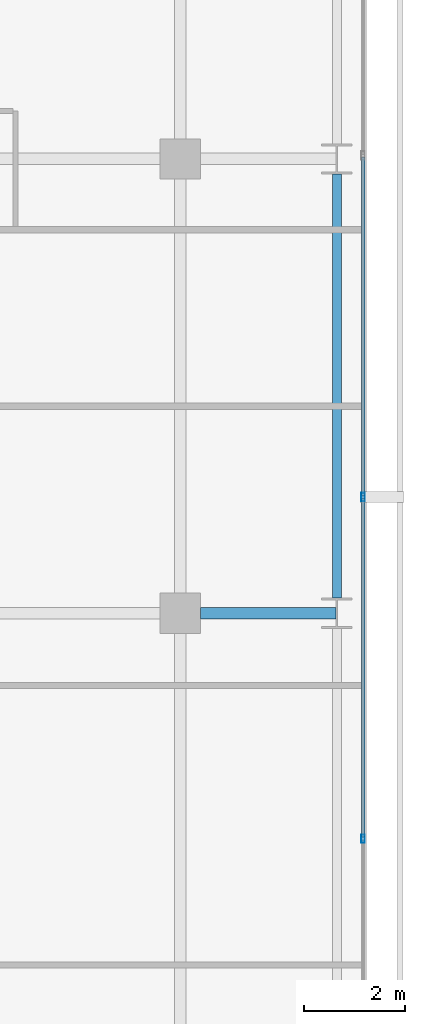
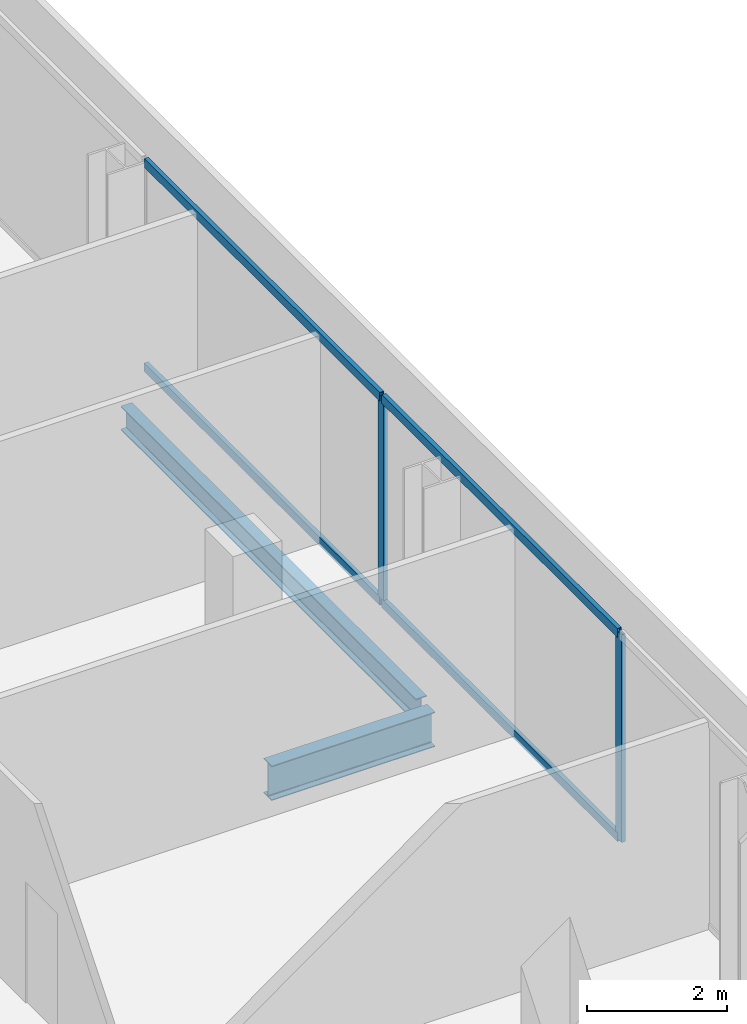
# One storey, part 17 of 33: 6 members, 2 beams, 1 element without a shape of its own.
"""IFC4 building model written with IfcOpenShell, lengths in metres."""

import ifcopenshell
import ifcopenshell.guid

model = None  # the IFC model being written
_history = None  # IfcOwnerHistory: only IFC2X3 demands one
_inside = {}  # id of a spatial element -> (the spatial element, [elements in it])
_under = {}  # id of a project, library or spatial element -> (it, [spatial elements below it])
_declared = {}  # id of a project -> (the project, [libraries it declares])
_typed = {}  # id of a type object -> (the type object, [elements of that type])
_made_of = {}  # id of a material, layer set ... -> (it, [elements and type objects made of it])


def new_model(schema):
    """Start an empty IFC model of exactly this schema.

    Asked for "IFC4X3", IfcOpenShell would pick the latest addendum, in which some entities
    have other attributes; the version numbers below select the first issue.
    IFC2X3 requires an IfcOwnerHistory on every rooted entity: one is made here for all.
    """
    global model, _history
    if schema == "IFC4X3":
        model = ifcopenshell.file(schema_version=(4, 3, 0, 0))
    else:
        model = ifcopenshell.file(schema=schema)
    _inside.clear()
    _under.clear()
    _declared.clear()
    _typed.clear()
    _made_of.clear()
    _history = None
    if model.schema == "IFC2X3":
        org = make("IfcOrganization", Name="unknown")
        user = make(
            "IfcPersonAndOrganization",
            ThePerson=make("IfcPerson", FamilyName="unknown"),
            TheOrganization=org,
        )
        app = make(
            "IfcApplication",
            ApplicationDeveloper=org,
            Version="unknown",
            ApplicationFullName="unknown",
            ApplicationIdentifier="unknown",
        )
        _history = make(
            "IfcOwnerHistory",
            OwningUser=user,
            OwningApplication=app,
            ChangeAction="ADDED",
            CreationDate=0,
        )
    return model


def make(cls, **values):
    """One entity of the class cls with the attributes given. An attribute that is None is left unset."""
    return model.create_entity(
        cls, **{name: value for name, value in values.items() if value is not None}
    )


def rooted(cls, **values):
    """An entity with a GlobalId (a new one), such as an element, a storey or a relation."""
    return make(cls, GlobalId=ifcopenshell.guid.new(), OwnerHistory=_history, **values)


def si_unit(unit_type, name, prefix=None):
    """IfcSIUnit, for example si_unit("LENGTHUNIT", "METRE", prefix="MILLI")."""
    return make("IfcSIUnit", UnitType=unit_type, Prefix=prefix, Name=name)


def assignment(units):
    """IfcUnitAssignment: the units of a project."""
    return None if units is None else make("IfcUnitAssignment", Units=units)


def point(xyz):
    """IfcCartesianPoint."""
    return None if xyz is None else make("IfcCartesianPoint", Coordinates=xyz)


def direction(xyz):
    """IfcDirection."""
    return None if xyz is None else make("IfcDirection", DirectionRatios=xyz)


def frame(location, z_axis=None, x_axis=None):
    """IfcAxis2Placement3D, a coordinate frame: its origin and axes. An axis left out is left unset."""
    return make(
        "IfcAxis2Placement3D",
        Location=point(location),
        Axis=direction(z_axis),
        RefDirection=direction(x_axis),
    )


def frame_2d(location, x_axis=None):
    """IfcAxis2Placement2D, a coordinate frame in the plane: its origin and x axis."""
    return make(
        "IfcAxis2Placement2D", Location=point(location), RefDirection=direction(x_axis)
    )


def origin():
    """The frame at (0, 0, 0) with its axes left unset."""
    return frame((0.0, 0.0, 0.0))


def origin_2d():
    """The frame at (0, 0) in the plane with its x axis left unset."""
    return frame_2d((0.0, 0.0))


def place(relative_to, where):
    """IfcLocalPlacement: puts the frame where relative to a parent placement (None: the world)."""
    return make(
        "IfcLocalPlacement", PlacementRelTo=relative_to, RelativePlacement=where
    )


def context(
    kind, dimensions, precision=None, world=None, true_north=None, identifier=None
):
    """IfcGeometricRepresentationContext, for example the 3D "Model" context."""
    return make(
        "IfcGeometricRepresentationContext",
        ContextIdentifier=identifier,
        ContextType=kind,
        CoordinateSpaceDimension=dimensions,
        Precision=precision,
        WorldCoordinateSystem=world,
        TrueNorth=true_north,
    )


def subcontext(parent, identifier, kind, view, scale=None):
    """IfcGeometricRepresentationSubContext, for example "Body" below "Model"."""
    return make(
        "IfcGeometricRepresentationSubContext",
        ContextIdentifier=identifier,
        ContextType=kind,
        ParentContext=parent,
        TargetScale=scale,
        TargetView=view,
    )


def project(units=None, contexts=None):
    """IfcProject with its units and contexts."""
    return rooted(
        "IfcProject",
        Name="project",
        RepresentationContexts=contexts,
        UnitsInContext=assignment(units),
    )


def spatial(cls, under=None, at=None, **own):
    """A site, building, storey or space (cls), placed at a placement, below another one or the project."""
    s = rooted(cls, ObjectPlacement=at, **own)
    if under is not None:
        _under.setdefault(under.id(), (under, []))[1].append(s)
    return s


def profile(cls, at=None, kind="AREA", **sizes):
    """A parametric profile (cls). Its sizes go by their IFC names, for example OverallWidth=200.0."""
    return make(cls, ProfileType=kind, Position=at, **sizes)


def hollow_rectangle(**sizes):
    """IfcRectangleHollowProfileDef."""
    return profile("IfcRectangleHollowProfileDef", **sizes)


def i_section(**sizes):
    """IfcIShapeProfileDef."""
    return profile("IfcIShapeProfileDef", **sizes)


def extrude(swept, where, along, depth):
    """IfcExtrudedAreaSolid: the profile swept, set in the frame where, extruded along a direction by depth."""
    return make(
        "IfcExtrudedAreaSolid",
        SweptArea=swept,
        Position=where,
        ExtrudedDirection=direction(along),
        Depth=depth,
    )


def shape(context_of_items, identifier, shape_type, items):
    """IfcShapeRepresentation: the items that make up one representation, for example the "Body"."""
    return make(
        "IfcShapeRepresentation",
        ContextOfItems=context_of_items,
        RepresentationIdentifier=identifier,
        RepresentationType=shape_type,
        Items=items,
    )


def material(Name=None, Category=None):
    """IfcMaterial."""
    return make("IfcMaterial", Name=Name, Category=Category)


def layer(
    of_material, thickness, ventilated=None, Name=None, Category=None, Priority=None
):
    """IfcMaterialLayer: one layer of a wall or slab, of a material (None: an air gap)."""
    return make(
        "IfcMaterialLayer",
        Material=of_material,
        LayerThickness=thickness,
        IsVentilated=ventilated,
        Name=Name,
        Category=Category,
        Priority=Priority,
    )


def layer_set(layers, Name=None):
    """IfcMaterialLayerSet."""
    return make("IfcMaterialLayerSet", MaterialLayers=layers, LayerSetName=Name)


def material_profile(
    of_material, cross_section, Name=None, Category=None, Priority=None
):
    """IfcMaterialProfile: a cross section and its material."""
    return make(
        "IfcMaterialProfile",
        Name=Name,
        Material=of_material,
        Profile=cross_section,
        Priority=Priority,
        Category=Category,
    )


def profile_set(profiles, Name=None, composite=None):
    """IfcMaterialProfileSet."""
    return make(
        "IfcMaterialProfileSet",
        Name=Name,
        MaterialProfiles=profiles,
        CompositeProfile=composite,
    )


def made_of(thing, what):
    """Note that an element or type object is made of a material, layer set ...; save() writes the relation."""
    if what is not None:
        _made_of.setdefault(what.id(), (what, []))[1].append(thing)
    return thing


def type_object(cls, material=None, **own):
    """A type object (cls), such as IfcWallType, which elements share."""
    return made_of(rooted(cls, **own), material)


def element(
    cls,
    number,
    at=None,
    inside=None,
    cuts=None,
    type_object=None,
    material=None,
    context=None,
    identifier="Body",
    shape_type=None,
    held_by="IfcProductDefinitionShape",
    body=None,
    shapes=None,
    **own,
):
    """One element of the class cls, such as IfcWall. Its Tag is "e" and its number.

    at: its placement. inside: the storey or other place that contains it. cuts: it is an
    opening in that element (IfcRelVoidsElement). A single representation is given by context,
    identifier, shape_type and body (its items); several are given by shapes. held_by: the class
    of the entity that holds the representations. save() writes the other relations.
    """
    e = rooted(cls, Tag="e%d" % number, ObjectPlacement=at, **own)
    if body is not None:
        shapes = [shape(context, identifier, shape_type, body)]
    if shapes is not None:
        e.Representation = make(held_by, Representations=shapes)
    if inside is not None:
        _inside.setdefault(inside.id(), (inside, []))[1].append(e)
    if cuts is not None:
        rooted(
            "IfcRelVoidsElement", RelatingBuildingElement=cuts, RelatedOpeningElement=e
        )
    if type_object is not None:
        _typed.setdefault(type_object.id(), (type_object, []))[1].append(e)
    return made_of(e, material)


def aggregate(whole, parts):
    """IfcRelAggregates: a whole, such as a stair, and the parts it consists of."""
    return rooted("IfcRelAggregates", RelatingObject=whole, RelatedObjects=parts)


def save(model, path):
    """Write the relations noted so far, then the file.

    IfcRelAggregates (storeys below a building ...), IfcRelContainedInSpatialStructure (elements
    in a storey), IfcRelDefinesByType, IfcRelAssociatesMaterial and IfcRelDeclares: one each for
    every whole, place, type object, material and project.
    """
    for whole, parts in _under.values():
        aggregate(whole, parts)
    for where, things in _inside.values():
        rooted(
            "IfcRelContainedInSpatialStructure",
            RelatedElements=things,
            RelatingStructure=where,
        )
    for kind, things in _typed.values():
        rooted("IfcRelDefinesByType", RelatedObjects=things, RelatingType=kind)
    for what, things in _made_of.values():
        rooted("IfcRelAssociatesMaterial", RelatedObjects=things, RelatingMaterial=what)
    for by, libraries in _declared.values():
        rooted("IfcRelDeclares", RelatingContext=by, RelatedDefinitions=libraries)
    model.write(path)


model = new_model("IFC4")

# Units and contexts
model_context = context("Model", 3, precision=1e-05, world=origin(), true_north=direction((0.0, 1.0)))
body_context = subcontext(model_context, "Body", "Model", "MODEL_VIEW")
ifc_project = project(units=[si_unit("LENGTHUNIT", "METRE"), si_unit("AREAUNIT", "SQUARE_METRE"), si_unit("VOLUMEUNIT", "CUBIC_METRE"), si_unit("PLANEANGLEUNIT", "RADIAN"), si_unit("MASSUNIT", "GRAM", prefix="KILO")], contexts=[model_context])

# Site, building, storey
site_placement = place(None, origin())
site = spatial("IfcSite", under=ifc_project, at=site_placement, CompositionType="ELEMENT")
building_placement = place(site_placement, origin())
building = spatial("IfcBuilding", under=site, at=building_placement, Name="Maruvema Waterfront Hotel and Observation Tower", CompositionType="ELEMENT")
storey_placement = place(building_placement, frame((0.0, 0.0, 158.199951171875)))
storey = spatial("IfcBuildingStorey", under=building, at=storey_placement, Name="L38", CompositionType="ELEMENT", Elevation=158.199951171875)

# Curtain wall, members
ifc_material_1 = material(Name="Anodised bronze aluminium and solar-control low-E IGU", Category="aluminium")
ifc_layer = layer(ifc_material_1, 0.159912109375, Name="Zone 2 Amber Inner Thermal Curtain Wall System CW-03")
ifc_layer_set = layer_set([ifc_layer], Name="Anodised bronze aluminium and solar-control low-E IGU")
curtain_wall_type = type_object("IfcCurtainWallType", Name="Zone 2 Amber Inner Thermal Curtain Wall System CW-03", PredefinedType="USERDEFINED", material=ifc_layer_set)
curtain_wall_placement = place(storey_placement, origin())
curtain_wall = element("IfcCurtainWall", 1, at=curtain_wall_placement, inside=storey, type_object=curtain_wall_type, Name="L38 Curtain Wall CW-L38-E", ObjectType="UNITISED CURTAIN WALL", PredefinedType="USERDEFINED")
ifc_material_2 = material(Name="Anodised architectural bronze aluminium", Category="aluminium")
ifc_material_profile_1 = material_profile(ifc_material_2, hollow_rectangle(XDim=0.070068359375, YDim=0.14990234375, WallThickness=0.00390625, at=origin_2d()), Name="ALU-T70x150")
ifc_profile_set_1 = profile_set([ifc_material_profile_1], Name="Anodised architectural bronze aluminium")
member_type_1 = type_object("IfcMemberType", Name="Curtain Wall Horizontal Transom ALU-T70x150", PredefinedType="USERDEFINED", material=ifc_profile_set_1)
member_1_placement = place(storey_placement, frame((62.419921875, 22.563232421875, 0.030029296875), z_axis=(0.0, 1.0, 0.0), x_axis=(-1.0, 0.0, 0.0)))
member_1 = element("IfcMember", 2, at=member_1_placement, type_object=member_type_1, Name="CW-03 transom 3.1", ObjectType="TRANSOM", PredefinedType="USERDEFINED", context=body_context, shape_type="SweptSolid", body=[
    extrude(hollow_rectangle(XDim=0.070068359375, YDim=0.14990234375, WallThickness=0.00390625, at=origin_2d()), origin(), (0.0, 0.0, 1.0), 6.706787109375),
])
member_2_placement = place(storey_placement, frame((62.419921875, 22.563232421875, 3.580078125), z_axis=(0.0, 1.0, 0.0), x_axis=(-1.0, 0.0, 0.0)))
member_2 = element("IfcMember", 3, at=member_2_placement, type_object=member_type_1, Name="CW-03 transom 3.2", ObjectType="TRANSOM", PredefinedType="USERDEFINED", context=body_context, shape_type="SweptSolid", body=[
    extrude(hollow_rectangle(XDim=0.070068359375, YDim=0.14990234375, WallThickness=0.00390625, at=origin_2d()), origin(), (0.0, 0.0, 1.0), 6.706787109375),
])
member_3_placement = place(storey_placement, frame((62.419921875, 29.330078125, 0.030029296875), z_axis=(0.0, 1.0, 0.0), x_axis=(-1.0, 0.0, 0.0)))
member_3 = element("IfcMember", 4, at=member_3_placement, type_object=member_type_1, Name="CW-03 transom 4.1", ObjectType="TRANSOM", PredefinedType="USERDEFINED", context=body_context, shape_type="SweptSolid", body=[
    extrude(hollow_rectangle(XDim=0.070068359375, YDim=0.14990234375, WallThickness=0.00390625, at=origin_2d()), origin(), (0.0, 0.0, 1.0), 6.70654296875),
])
member_4_placement = place(storey_placement, frame((62.419921875, 29.330078125, 3.580078125), z_axis=(0.0, 1.0, 0.0), x_axis=(-1.0, 0.0, 0.0)))
member_4 = element("IfcMember", 5, at=member_4_placement, type_object=member_type_1, Name="CW-03 transom 4.2", ObjectType="TRANSOM", PredefinedType="USERDEFINED", context=body_context, shape_type="SweptSolid", body=[
    extrude(hollow_rectangle(XDim=0.070068359375, YDim=0.14990234375, WallThickness=0.00390625, at=origin_2d()), origin(), (0.0, 0.0, 1.0), 6.70654296875),
])
ifc_material_3 = material(Name="Anodised architectural bronze aluminium", Category="aluminium")
ifc_material_profile_2 = material_profile(ifc_material_3, hollow_rectangle(XDim=0.06494140625, YDim=0.1650390625, WallThickness=0.00390625, at=origin_2d()), Name="ALU-M65x165")
ifc_profile_set_2 = profile_set([ifc_material_profile_2], Name="Anodised architectural bronze aluminium")
member_type_2 = type_object("IfcMemberType", Name="Curtain Wall Primary Mullion ALU-M65x165", PredefinedType="MULLION", material=ifc_profile_set_2)
member_5_placement = place(storey_placement, frame((62.419921875, 22.533447265625, 0.0), z_axis=(0.0, 0.0, 1.0), x_axis=(-1.0, 0.0, 0.0)))
member_5 = element("IfcMember", 6, at=member_5_placement, type_object=member_type_2, Name="CW-03 mullion 3", PredefinedType="MULLION", context=body_context, shape_type="SweptSolid", body=[
    extrude(hollow_rectangle(XDim=0.06494140625, YDim=0.1650390625, WallThickness=0.00390625, at=origin_2d()), origin(), (0.0, 0.0, 1.0), 3.610107421875),
])
member_6_placement = place(storey_placement, frame((62.419921875, 29.300048828125, 0.0), z_axis=(0.0, 0.0, 1.0), x_axis=(-1.0, 0.0, 0.0)))
member_6 = element("IfcMember", 7, at=member_6_placement, type_object=member_type_2, Name="CW-03 mullion 4", PredefinedType="MULLION", context=body_context, shape_type="SweptSolid", body=[
    extrude(hollow_rectangle(XDim=0.06494140625, YDim=0.1650390625, WallThickness=0.00390625, at=origin_2d()), origin(), (0.0, 0.0, 1.0), 3.610107421875),
])
aggregate(curtain_wall, [member_5, member_6, member_1, member_2, member_3, member_4])

# Beams
ifc_material_4 = material(Name="Steel ASTM A572 Grade 50", Category="steel")
ifc_material_profile_3 = material_profile(ifc_material_4, i_section(OverallWidth=0.180908203125, OverallDepth=0.4169921875, WebThickness=0.010986328125, FlangeThickness=0.018310546875, FilletRadius=0.014892578125, at=origin_2d()), Name="W410x85.0")
ifc_profile_set_3 = profile_set([ifc_material_profile_3], Name="Steel ASTM A572 Grade 50")
beam_type_1 = type_object("IfcBeamType", Name="Perimeter Spandrel Beam W410x85.0", PredefinedType="SPANDREL", material=ifc_profile_set_3)
beam_1_placement = place(storey_placement, frame((61.89990234375, 27.300048828125, -0.448486328125), z_axis=(0.0, 1.0, 0.0), x_axis=(-1.0, 0.0, 0.0)))
element("IfcBeam", 8, at=beam_1_placement, inside=storey, type_object=beam_type_1, Name="L38 Floor Girder NS-31", PredefinedType="SPANDREL", context=body_context, shape_type="SweptSolid", body=[
    extrude(i_section(OverallWidth=0.180908203125, OverallDepth=0.4169921875, WebThickness=0.010986328125, FlangeThickness=0.018310546875, FilletRadius=0.014892578125, at=origin_2d()), origin(), (0.0, 0.0, 1.0), 8.39990234375),
])
ifc_material_5 = material(Name="Steel ASTM A572 Grade 50", Category="steel")
ifc_material_profile_4 = material_profile(ifc_material_5, i_section(OverallWidth=0.22802734375, OverallDepth=0.60302734375, WebThickness=0.010498046875, FlangeThickness=0.014892578125, FilletRadius=0.01806640625, at=origin_2d()), Name="W610x101.0")
ifc_profile_set_4 = profile_set([ifc_material_profile_4], Name="Steel ASTM A572 Grade 50")
beam_type_2 = type_object("IfcBeamType", Name="Primary Floor Girder W610x101.0", PredefinedType="BEAM", material=ifc_profile_set_4)
beam_2_placement = place(storey_placement, frame((59.199951171875, 27.0, -0.54150390625), z_axis=(1.0, 0.0, 0.0), x_axis=(0.0, 1.0, 0.0)))
element("IfcBeam", 9, at=beam_2_placement, inside=storey, type_object=beam_type_2, Name="L38 Floor Girder EW-22", PredefinedType="BEAM", context=body_context, shape_type="SweptSolid", body=[
    extrude(i_section(OverallWidth=0.22802734375, OverallDepth=0.60302734375, WebThickness=0.010498046875, FlangeThickness=0.014892578125, FilletRadius=0.01806640625, at=origin_2d()), origin(), (0.0, 0.0, 1.0), 2.6875),
])

save(model, "model.ifc")
